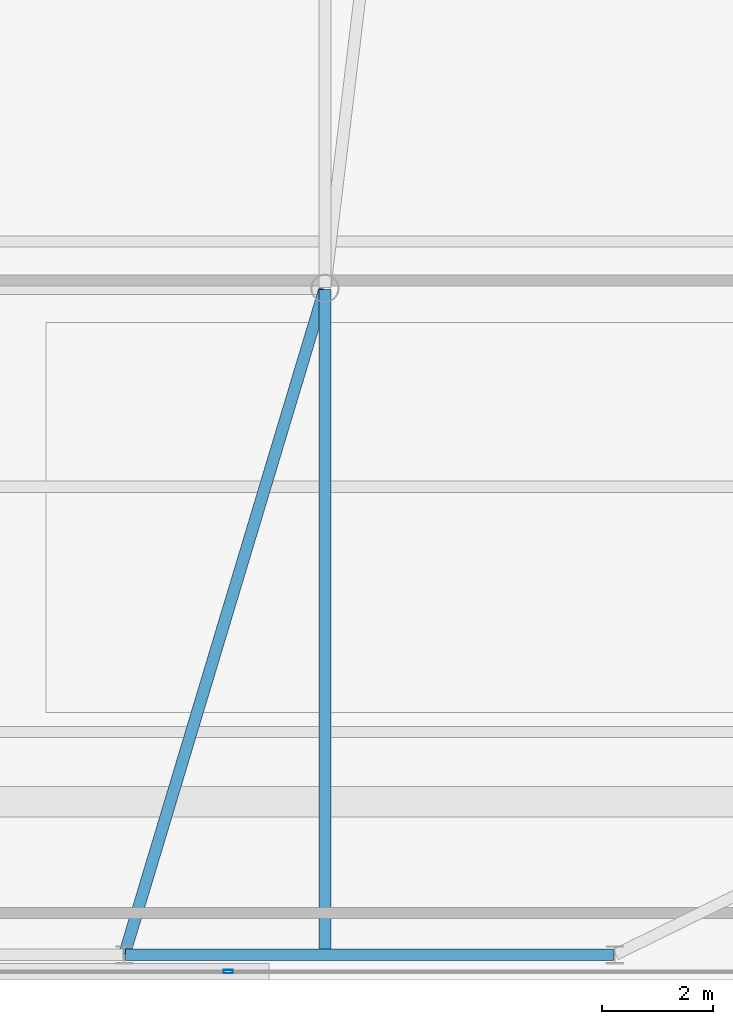
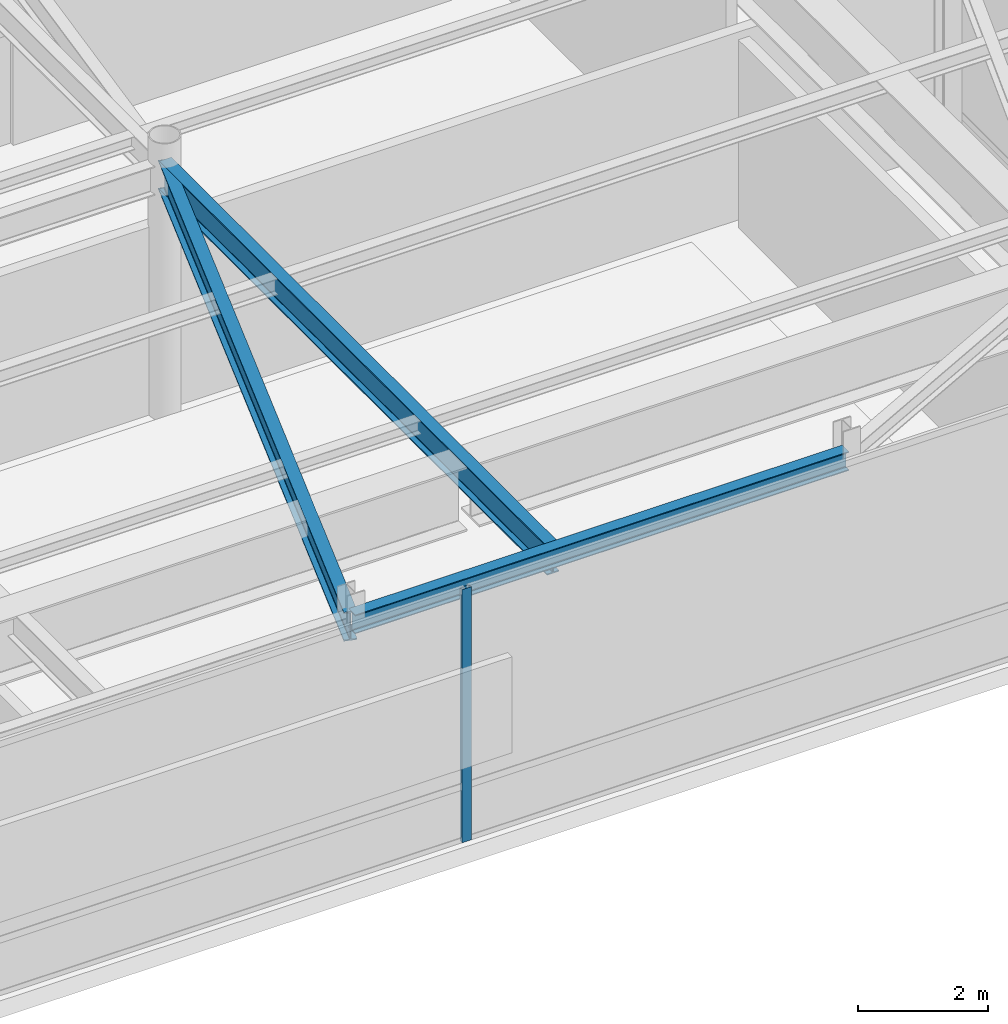
# One storey, part 8 of 20: 3 beams, 1 member, 1 element without a shape of its own.
"""IFC4 building model written with IfcOpenShell, lengths in metres."""

from ifc_helpers import new_model, si_unit, direction, frame, origin, origin_2d, place, context, subcontext, project, spatial, hollow_rectangle, i_section, extrude, source, transform, mapped, material, layer, layer_set, material_profile, profile_set, type_object, type_shapes, element, aggregate, save


model = new_model("IFC4")

# Units and contexts
model_context = context("Model", 3, precision=1e-05, world=origin(), true_north=direction((0.0, 1.0)))
body_context = subcontext(model_context, "Body", "Model", "MODEL_VIEW")
ifc_project = project(units=[si_unit("LENGTHUNIT", "METRE"), si_unit("AREAUNIT", "SQUARE_METRE"), si_unit("VOLUMEUNIT", "CUBIC_METRE"), si_unit("PLANEANGLEUNIT", "RADIAN"), si_unit("MASSUNIT", "GRAM", prefix="KILO")], contexts=[model_context])

# Site, building, storey
site_placement = place(None, origin())
site = spatial("IfcSite", under=ifc_project, at=site_placement, CompositionType="ELEMENT")
building_placement = place(site_placement, origin())
building = spatial("IfcBuilding", under=site, at=building_placement, Name="Varnel Quay Broadcast Tower", CompositionType="ELEMENT")
storey_placement = place(building_placement, frame((0.0, 0.0, 314.60009765625)))
storey = spatial("IfcBuildingStorey", under=building, at=storey_placement, Name="L78", CompositionType="ELEMENT", Elevation=314.60009765625)

# Beams
ifc_material_1 = material(Name="Structural Steel CSA G40.21 350W", Category="steel")
ifc_material_profile_1 = material_profile(ifc_material_1, i_section(OverallWidth=0.205078125, OverallDepth=0.35400390625, WebThickness=0.009521484375, FlangeThickness=0.016845703125, FilletRadius=0.012939453125, at=origin_2d()), Name="W360X79")
ifc_profile_set_1 = profile_set([ifc_material_profile_1], Name="Structural Steel CSA G40.21 350W")
beam_type_1 = type_object("IfcBeamType", Name="Beam_W360X79", PredefinedType="SPANDREL", material=ifc_profile_set_1)
shared_shape_1 = source(origin(), body_context, "Body", "SweptSolid", [
    extrude(i_section(OverallWidth=0.205078125, OverallDepth=0.35400390625, WebThickness=0.009521484375, FlangeThickness=0.016845703125, FilletRadius=0.012939453125, at=origin_2d()), origin(), (0.0, 0.0, 1.0), 8.760009765625),
])
type_shapes(beam_type_1, [shared_shape_1])
beam_1_placement = place(storey_placement, frame((38.419921875, 13.64990234375, 4.572998046875), z_axis=(1.0, 0.0, 0.0), x_axis=(0.0, 1.0, 0.0)))
element("IfcBeam", 1, at=beam_1_placement, inside=storey, type_object=beam_type_1, Name="L78 South Spandrel TC-S3-TC-S4", PredefinedType="SPANDREL", context=body_context, shape_type="MappedRepresentation", body=[
    mapped(shared_shape_1, transform((0.0, 0.0, 0.0), x_axis=(1.0, 0.0, 0.0), y_axis=(0.0, 1.0, 0.0), z_axis=(0.0, 0.0, 1.0), scale=1.0)),
])
ifc_material_profile_2 = material_profile(ifc_material_1, i_section(OverallWidth=0.2119140625, OverallDepth=0.5439453125, WebThickness=0.01318359375, FlangeThickness=0.021240234375, FilletRadius=0.013916015625, at=origin_2d()), Name="W530X123")
ifc_profile_set_2 = profile_set([ifc_material_profile_2], Name="Structural Steel CSA G40.21 350W")
beam_type_2 = type_object("IfcBeamType", Name="Girder_W530X123", PredefinedType="BEAM", material=ifc_profile_set_2)
shared_shape_2 = source(origin(), body_context, "Body", "SweptSolid", [
    extrude(i_section(OverallWidth=0.2119140625, OverallDepth=0.5439453125, WebThickness=0.01318359375, FlangeThickness=0.021240234375, FilletRadius=0.013916015625, at=origin_2d()), origin(), (0.0, 0.0, 1.0), 12.449951171875),
])
beam_2_placement = place(storey_placement, frame((38.40576171875, 13.669189453125, 4.477783203125), z_axis=(0.28822390679, 0.957563042078, 0.0), x_axis=(-0.957563042078, 0.28822390679, 0.0)))
element("IfcBeam", 2, at=beam_2_placement, inside=storey, type_object=beam_type_2, Name="L78 Primary Girder TC-S3-IC-02", PredefinedType="BEAM", context=body_context, shape_type="MappedRepresentation", body=[
    mapped(shared_shape_2, transform((0.0, 0.0, 0.0), x_axis=(1.0, 0.0, 0.0), y_axis=(0.0, 1.0, 0.0), z_axis=(0.0, 0.0, 1.0), scale=1.0)),
])
shared_shape_3 = source(origin(), body_context, "Body", "SweptSolid", [
    extrude(i_section(OverallWidth=0.2119140625, OverallDepth=0.5439453125, WebThickness=0.01318359375, FlangeThickness=0.021240234375, FilletRadius=0.013916015625, at=origin_2d()), origin(), (0.0, 0.0, 1.0), 11.920166015625),
])
type_shapes(beam_type_2, [shared_shape_2, shared_shape_3])
beam_3_placement = place(storey_placement, frame((42.0, 13.669921875, 4.477783203125), z_axis=(0.0, 1.0, 0.0), x_axis=(-1.0, 0.0, 0.0)))
element("IfcBeam", 3, at=beam_3_placement, inside=storey, type_object=beam_type_2, Name="L78 N-S Joist Header IC-02S", PredefinedType="BEAM", context=body_context, shape_type="MappedRepresentation", body=[
    mapped(shared_shape_3, transform((0.0, 0.0, 0.0), x_axis=(1.0, 0.0, 0.0), y_axis=(0.0, 1.0, 0.0), z_axis=(0.0, 0.0, 1.0), scale=1.0)),
])

# Curtain wall, member
ifc_material_2 = material(Name="Anodised Bronze Aluminium 6063-T6", Category="aluminium")
ifc_layer = layer(ifc_material_2, 0.18994140625, Name="Anodised Bronze Aluminium 6063-T6")
ifc_layer_set = layer_set([ifc_layer], Name="Anodised Bronze Aluminium 6063-T6")
curtain_wall_type = type_object("IfcCurtainWallType", Name="CW_UpperTower", PredefinedType="NOTDEFINED", material=ifc_layer_set)
curtain_wall_placement = place(storey_placement, origin())
curtain_wall = element("IfcCurtainWall", 4, at=curtain_wall_placement, inside=storey, type_object=curtain_wall_type, Name="L78 South Unitised Curtain Wall 1", PredefinedType="NOTDEFINED")
ifc_material_profile_3 = material_profile(ifc_material_2, hollow_rectangle(XDim=0.06494140625, YDim=0.1650390625, WallThickness=0.00341796875, at=origin_2d()), Name="ALU65X165X3.5")
ifc_profile_set_3 = profile_set([ifc_material_profile_3], Name="Anodised Bronze Aluminium 6063-T6")
member_type = type_object("IfcMemberType", Name="Mull_CWS-03", PredefinedType="MULLION", material=ifc_profile_set_3)
shared_shape_4 = source(origin(), body_context, "Body", "SweptSolid", [
    extrude(hollow_rectangle(XDim=0.06494140625, YDim=0.1650390625, WallThickness=0.00341796875, at=origin_2d()), origin(), (0.0, 0.0, 1.0), 4.75),
])
type_shapes(member_type, [shared_shape_4])
member_placement = place(storey_placement, frame((40.2666015625, 13.35009765625, 0.0), z_axis=(0.0, 0.0, 1.0), x_axis=(0.0, 1.0, 0.0)))
member = element("IfcMember", 5, at=member_placement, type_object=member_type, Name="CWS-03 mullion 3", PredefinedType="MULLION", context=body_context, shape_type="MappedRepresentation", body=[
    mapped(shared_shape_4, transform((0.0, 0.0, 0.0), x_axis=(1.0, 0.0, 0.0), y_axis=(0.0, 1.0, 0.0), z_axis=(0.0, 0.0, 1.0), scale=1.0)),
])
aggregate(curtain_wall, [member])

save(model, "model.ifc")
